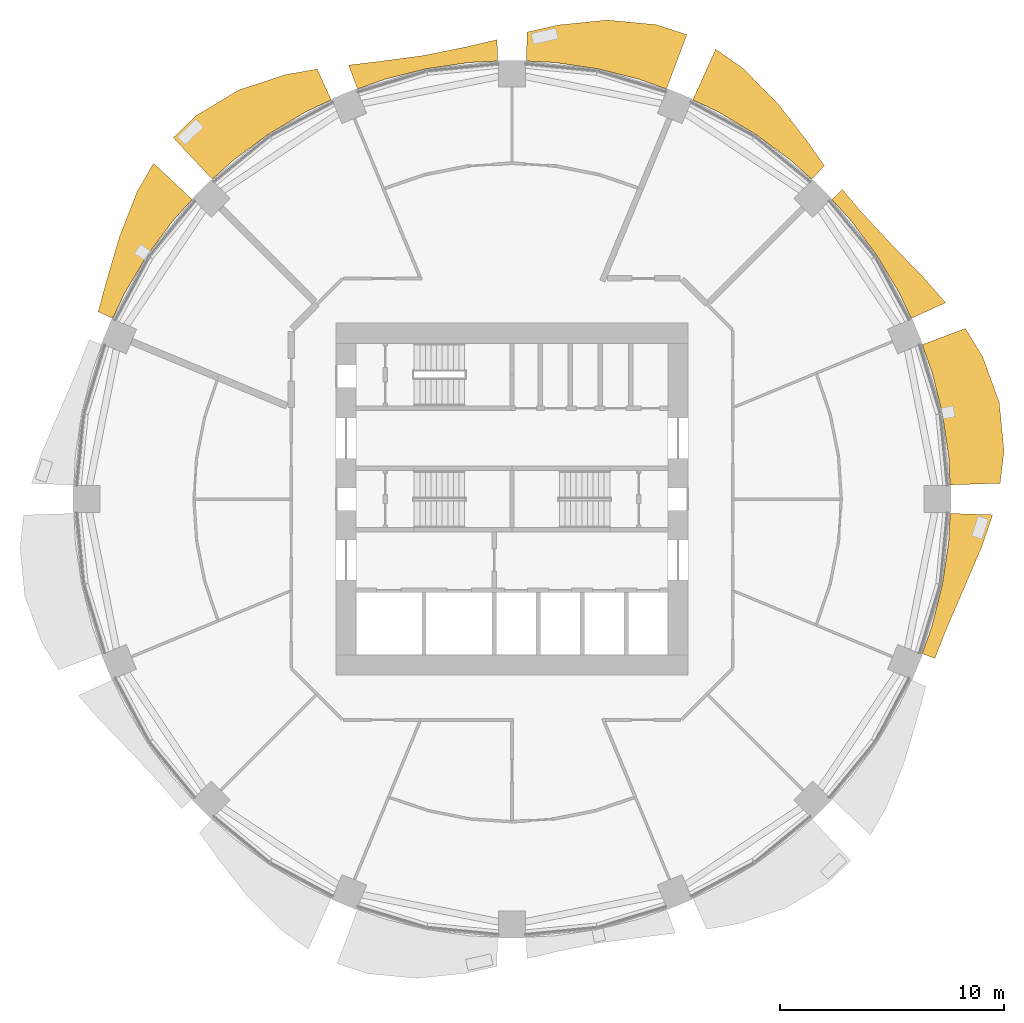
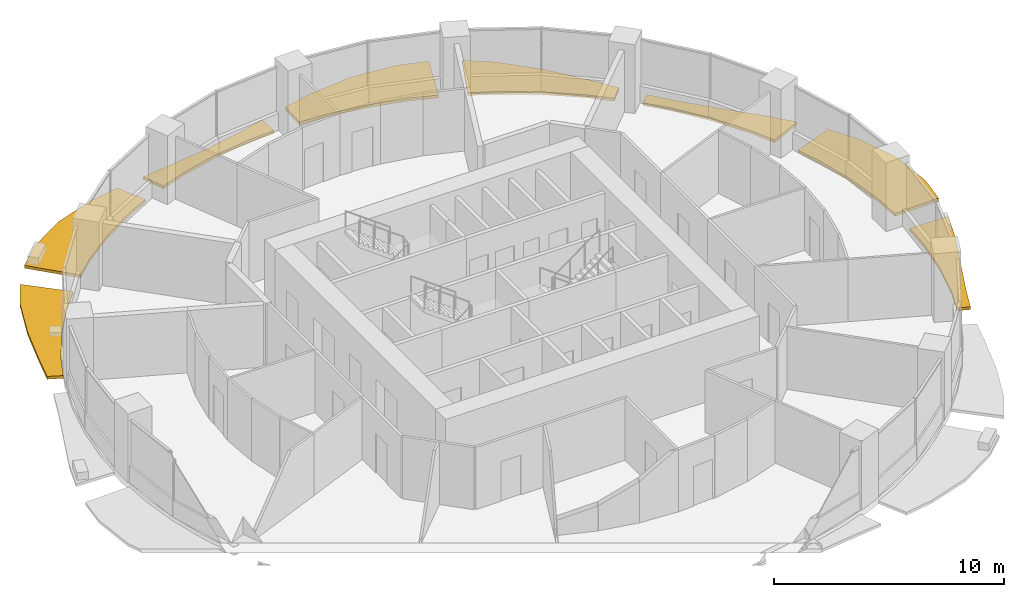
# One storey, part 14 of 15: 8 shading devices.
"""IFC4 building model written with IfcOpenShell, lengths in metres."""

from ifc_helpers import new_model, si_unit, direction, frame, origin, place, context, subcontext, project, spatial, polyline, outline, extrude, material, type_object, element, save


model = new_model("IFC4")

# Units and contexts
model_context = context("Model", 3, precision=1e-05, world=origin(), true_north=direction((0.0, 1.0)))
body_context = subcontext(model_context, "Body", "Model", "MODEL_VIEW")
ifc_project = project(units=[si_unit("LENGTHUNIT", "METRE"), si_unit("AREAUNIT", "SQUARE_METRE"), si_unit("VOLUMEUNIT", "CUBIC_METRE"), si_unit("PLANEANGLEUNIT", "RADIAN"), si_unit("MASSUNIT", "GRAM", prefix="KILO")], contexts=[model_context])

# Site, building, storey
site_placement = place(None, origin())
site = spatial("IfcSite", under=ifc_project, at=site_placement, CompositionType="ELEMENT")
building_placement = place(site_placement, origin())
building = spatial("IfcBuilding", under=site, at=building_placement, Name="Polderwave Tower", CompositionType="ELEMENT")
storey_placement = place(building_placement, frame((0.0, 0.0, 48.10009765625)))
storey = spatial("IfcBuildingStorey", under=building, at=storey_placement, Name="L12", CompositionType="ELEMENT", Elevation=48.10009765625)

# Shading devices
ifc_material = material(Name="Terracotta", Category="masonry")
shading_device_type = type_object("IfcShadingDeviceType", Name="Terracotta sunshade band", PredefinedType="USERDEFINED", material=ifc_material)
shading_device_1_placement = place(storey_placement, frame((0.0, 0.0, -0.35009765625)))
element("IfcShadingDevice", 1, at=shading_device_1_placement, inside=storey, type_object=shading_device_type, Name="Sunshade band L12 1", ObjectType="SUNSHADE", PredefinedType="USERDEFINED", context=body_context, shape_type="SweptSolid", body=[
    extrude(outline(polyline([(19.5986328125, 0.637939453125), (19.535400390625, 1.924072265625), (19.252685546875, 3.82958984375), (18.78466796875, 5.6982421875), (18.35107421875, 6.91064453125), (20.279296875, 7.63671875), (21.048828125, 6.385009765625), (21.797119140625, 4.335693359375), (22.010498046875, 2.16796875), (21.839599609375, 0.7109375), (19.5986328125, 0.637939453125)])), origin(), (0.0, 0.0, 1.0), 0.14990234375),
])
shading_device_2_placement = place(storey_placement, frame((0.0, 0.0, -0.35009765625)))
element("IfcShadingDevice", 2, at=shading_device_2_placement, inside=storey, type_object=shading_device_type, Name="Sunshade band L12 2", ObjectType="SUNSHADE", PredefinedType="USERDEFINED", context=body_context, shape_type="SweptSolid", body=[
    extrude(outline(polyline([(17.862548828125, 8.089599609375), (17.31201171875, 9.25341796875), (16.32177734375, 10.90576171875), (15.17431640625, 12.453125), (14.3095703125, 13.4072265625), (14.781494140625, 13.849365234375), (15.640869140625, 12.836181640625), (17.00341796875, 11.361328125), (18.457763671875, 9.865966796875), (19.400390625, 8.785888671875), (17.862548828125, 8.089599609375)])), origin(), (0.0, 0.0, 1.0), 0.14990234375),
])
shading_device_3_placement = place(storey_placement, frame((0.0, 0.0, -0.35009765625)))
element("IfcShadingDevice", 3, at=shading_device_3_placement, inside=storey, type_object=shading_device_type, Name="Sunshade band L12 3", ObjectType="SUNSHADE", PredefinedType="USERDEFINED", context=body_context, shape_type="SweptSolid", body=[
    extrude(outline(polyline([(13.4072265625, 14.3095703125), (12.453125, 15.17431640625), (10.90576171875, 16.32177734375), (9.25341796875, 17.31201171875), (8.089599609375, 17.862548828125), (9.11572265625, 20.128662109375), (10.310791015625, 19.290283203125), (11.85546875, 17.742919921875), (13.17529296875, 16.05419921875), (13.97705078125, 14.917724609375), (13.4072265625, 14.3095703125)])), origin(), (0.0, 0.0, 1.0), 0.14990234375),
])
shading_device_4_placement = place(storey_placement, frame((0.0, 0.0, -0.35009765625)))
element("IfcShadingDevice", 4, at=shading_device_4_placement, inside=storey, type_object=shading_device_type, Name="Sunshade band L12 4", ObjectType="SUNSHADE", PredefinedType="USERDEFINED", context=body_context, shape_type="SweptSolid", body=[
    extrude(outline(polyline([(6.91064453125, 18.35107421875), (5.6982421875, 18.78466796875), (3.82958984375, 19.252685546875), (1.924072265625, 19.535400390625), (0.637939453125, 19.5986328125), (0.680419921875, 20.89599609375), (2.08935546875, 21.21435546875), (4.263916015625, 21.435791015625), (6.439697265625, 21.228515625), (7.825439453125, 20.780517578125), (6.91064453125, 18.35107421875)])), origin(), (0.0, 0.0, 1.0), 0.14990234375),
])
shading_device_5_placement = place(storey_placement, frame((0.0, 0.0, -0.35009765625)))
element("IfcShadingDevice", 5, at=shading_device_5_placement, inside=storey, type_object=shading_device_type, Name="Sunshade band L12 5", ObjectType="SUNSHADE", PredefinedType="USERDEFINED", context=body_context, shape_type="SweptSolid", body=[
    extrude(outline(polyline([(-0.637939453125, 19.5986328125), (-1.924072265625, 19.535400390625), (-3.82958984375, 19.252685546875), (-5.6982421875, 18.78466796875), (-6.91064453125, 18.35107421875), (-7.312255859375, 19.417236328125), (-5.9404296875, 19.5830078125), (-3.94775390625, 19.84716796875), (-1.993896484375, 20.244873046875), (-0.669189453125, 20.555908203125), (-0.637939453125, 19.5986328125)])), origin(), (0.0, 0.0, 1.0), 0.14990234375),
])
shading_device_6_placement = place(storey_placement, frame((0.0, 0.0, -0.35009765625)))
element("IfcShadingDevice", 6, at=shading_device_6_placement, inside=storey, type_object=shading_device_type, Name="Sunshade band L12 6", ObjectType="SUNSHADE", PredefinedType="USERDEFINED", context=body_context, shape_type="SweptSolid", body=[
    extrude(outline(polyline([(-8.089599609375, 17.862548828125), (-9.25341796875, 17.31201171875), (-10.90576171875, 16.32177734375), (-12.453125, 15.17431640625), (-13.4072265625, 14.3095703125), (-15.15283203125, 16.1728515625), (-14.10009765625, 17.18115234375), (-12.22802734375, 18.30078125), (-10.149658203125, 18.988525390625), (-8.71337890625, 19.239990234375), (-8.089599609375, 17.862548828125)])), origin(), (0.0, 0.0, 1.0), 0.14990234375),
])
shading_device_7_placement = place(storey_placement, frame((0.0, 0.0, -0.35009765625)))
element("IfcShadingDevice", 7, at=shading_device_7_placement, inside=storey, type_object=shading_device_type, Name="Sunshade band L12 7", ObjectType="SUNSHADE", PredefinedType="USERDEFINED", context=body_context, shape_type="SweptSolid", body=[
    extrude(outline(polyline([(-14.3095703125, 13.4072265625), (-15.17431640625, 12.453125), (-16.32177734375, 10.90576171875), (-17.31201171875, 9.25341796875), (-17.862548828125, 8.089599609375), (-18.51171875, 8.38330078125), (-18.156005859375, 9.70458984375), (-17.561279296875, 11.734130859375), (-16.767822265625, 13.760986328125), (-16.03662109375, 15.025390625), (-14.3095703125, 13.4072265625)])), origin(), (0.0, 0.0, 1.0), 0.14990234375),
])
shading_device_8_placement = place(storey_placement, frame((0.0, 0.0, -0.35009765625)))
element("IfcShadingDevice", 8, at=shading_device_8_placement, inside=storey, type_object=shading_device_type, Name="Sunshade band L12 16", ObjectType="SUNSHADE", PredefinedType="USERDEFINED", context=body_context, shape_type="SweptSolid", body=[
    extrude(outline(polyline([(18.35107421875, -6.91064453125), (18.78466796875, -5.6982421875), (19.252685546875, -3.82958984375), (19.535400390625, -1.924072265625), (19.5986328125, -0.637939453125), (21.49951171875, -0.699951171875), (21.041259765625, -2.072509765625), (20.208251953125, -4.019775390625), (19.4033203125, -5.885986328125), (18.916015625, -7.123291015625), (18.35107421875, -6.91064453125)])), origin(), (0.0, 0.0, 1.0), 0.14990234375),
])

save(model, "model.ifc")
